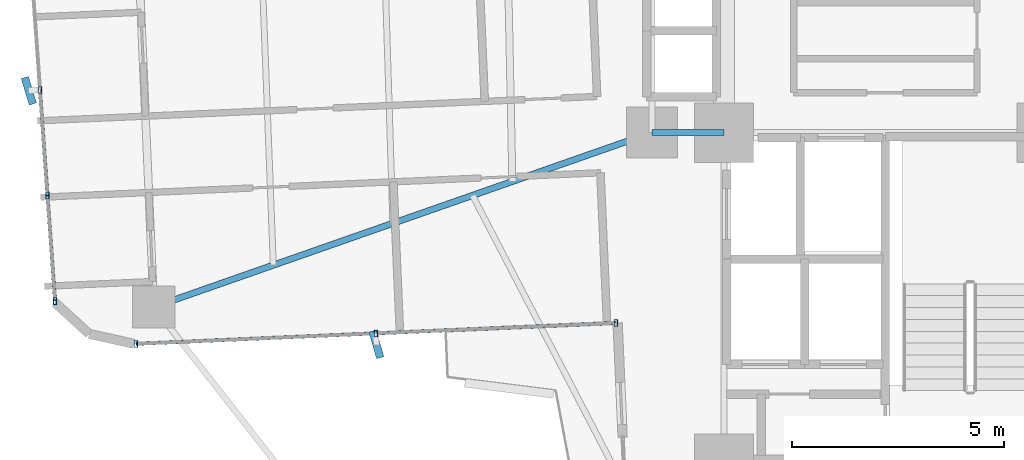
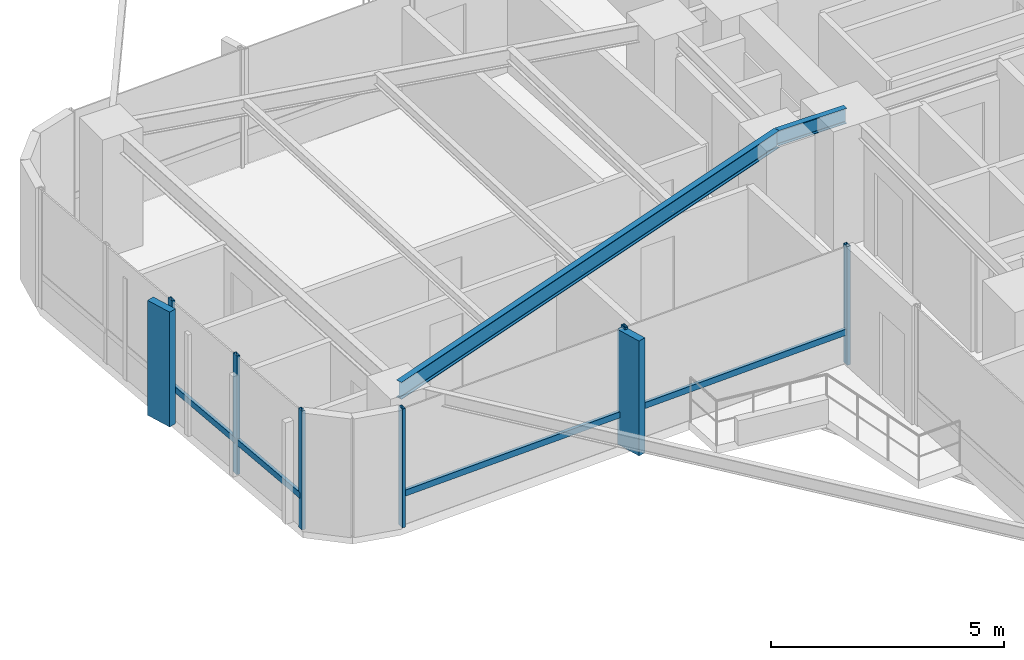
# One storey, part 8 of 26: 12 members, 2 beams, 2 elements without a shape of their own.
"""IFC4 building model written with IfcOpenShell, lengths in metres."""

from ifc_helpers import new_model, si_unit, direction, frame, origin, origin_2d, place, context, subcontext, project, spatial, rectangle, hollow_rectangle, i_section, extrude, source, transform, mapped, material, material_profile, profile_set, type_object, element, aggregate, save


model = new_model("IFC4")

# Units and contexts
model_context = context("Model", 3, precision=1e-05, world=origin(), true_north=direction((0.0, 1.0)))
body_context = subcontext(model_context, "Body", "Model", "MODEL_VIEW")
ifc_project = project(units=[si_unit("LENGTHUNIT", "METRE"), si_unit("AREAUNIT", "SQUARE_METRE"), si_unit("VOLUMEUNIT", "CUBIC_METRE"), si_unit("PLANEANGLEUNIT", "RADIAN"), si_unit("MASSUNIT", "GRAM", prefix="KILO")], contexts=[model_context])

# Site, building, storey
site_placement = place(None, origin())
site = spatial("IfcSite", under=ifc_project, at=site_placement, CompositionType="ELEMENT")
building_placement = place(site_placement, origin())
building = spatial("IfcBuilding", under=site, at=building_placement, Name="Sahyath Konkavel Grand Hotel", CompositionType="ELEMENT")
storey_placement = place(building_placement, frame((0.0, 0.0, 100.25)))
storey = spatial("IfcBuildingStorey", under=building, at=storey_placement, Name="L27", CompositionType="ELEMENT", Elevation=100.25)

# Beams
ifc_material_1 = material(Name="Steel E350", Category="steel")
ifc_material_profile_1 = material_profile(ifc_material_1, i_section(OverallWidth=0.139892578125, OverallDepth=0.39990234375, WebThickness=0.0087890625, FlangeThickness=0.01611328125, FilletRadius=0.013916015625, at=origin_2d()), Name="ISMB 400")
ifc_profile_set_1 = profile_set([ifc_material_profile_1], Name="Steel E350")
beam_type_1 = type_object("IfcBeamType", Name="BM-ISMB400", PredefinedType="BEAM", material=ifc_profile_set_1)
shared_shape_1 = source(origin(), body_context, "Body", "SweptSolid", [
    extrude(i_section(OverallWidth=0.139892578125, OverallDepth=0.39990234375, WebThickness=0.0087890625, FlangeThickness=0.01611328125, FilletRadius=0.013916015625, at=origin_2d()), origin(), (0.0, 0.0, 1.0), 1.699951171875),
])
beam_1_placement = place(storey_placement, frame((-5.5, -2.39990234375, 2.909912109375), z_axis=(1.0, 0.0, 0.0), x_axis=(0.0, 1.0, 0.0)))
element("IfcBeam", 1, at=beam_1_placement, inside=storey, type_object=beam_type_1, Name="str:bm:L27:HB-SW", PredefinedType="BEAM", context=body_context, shape_type="MappedRepresentation", body=[
    mapped(shared_shape_1, transform((0.0, 0.0, 0.0), scale=1.0)),
])
ifc_material_profile_2 = material_profile(ifc_material_1, i_section(OverallWidth=0.14990234375, OverallDepth=0.449951171875, WebThickness=0.009521484375, FlangeThickness=0.017333984375, FilletRadius=0.014892578125, at=origin_2d()), Name="ISMB 450")
ifc_profile_set_2 = profile_set([ifc_material_profile_2], Name="Steel E350")
beam_type_2 = type_object("IfcBeamType", Name="BM-ISMB450", PredefinedType="BEAM", material=ifc_profile_set_2)
shared_shape_2 = source(origin(), body_context, "Body", "SweptSolid", [
    extrude(i_section(OverallWidth=0.14990234375, OverallDepth=0.449951171875, WebThickness=0.009521484375, FlangeThickness=0.017333984375, FilletRadius=0.014892578125, at=origin_2d()), origin(), (0.0, 0.0, 1.0), 12.430908203125),
])
beam_2_placement = place(storey_placement, frame((-5.5, -2.39990234375, 2.885009765625), z_axis=(-0.943819157235, -0.330462400941, 0.0), x_axis=(0.330462400941, -0.943819157235, 0.0)))
element("IfcBeam", 2, at=beam_2_placement, inside=storey, type_object=beam_type_2, Name="L27 Cruciform Radial Girder WB", PredefinedType="BEAM", context=body_context, shape_type="MappedRepresentation", body=[
    mapped(shared_shape_2, transform((0.0, 0.0, 0.0), scale=1.0)),
])

# Curtain wall, member
ifc_material_2 = material(Name="Anodised Bronze Aluminium & Low-E Glazing", Category="aluminium")
curtain_wall_type = type_object("IfcCurtainWallType", Name="CW-ZONE2", PredefinedType="NOTDEFINED", material=ifc_material_2)
curtain_wall_1_placement = place(storey_placement, origin())
curtain_wall_1 = element("IfcCurtainWall", 3, at=curtain_wall_1_placement, inside=storey, type_object=curtain_wall_type, Name="L27 Unitised Curtain Wall F20", PredefinedType="NOTDEFINED")
ifc_material_3 = material(Name="Warm Buff Sandstone Cladding on Concrete C50/60", Category="masonry")
ifc_material_profile_3 = material_profile(ifc_material_3, rectangle(XDim=0.179931640625, YDim=0.64990234375, at=origin_2d()), Name="FIN 180x650")
ifc_profile_set_3 = profile_set([ifc_material_profile_3], Name="Warm Buff Sandstone Cladding on Concrete C50/60")
member_type_1 = type_object("IfcMemberType", Name="FIN-SANDSTONE-650", PredefinedType="MULLION", material=ifc_profile_set_3)
shared_shape_3 = source(origin(), body_context, "Body", "SweptSolid", [
    extrude(rectangle(XDim=0.179931640625, YDim=0.64990234375, at=origin_2d()), origin(), (0.0, 0.0, 1.0), 3.010009765625),
])
member_1_placement = place(storey_placement, frame((-20.1767578125, -1.413818359375, 0.050048828125), z_axis=(0.0, 0.0, 1.0), x_axis=(0.956610402488, 0.291370104596, 0.0)))
member_1 = element("IfcMember", 4, at=member_1_placement, type_object=member_type_1, Name="L27 Sandstone Vertical Solar Fin FIN F20-2", PredefinedType="MULLION", context=body_context, shape_type="MappedRepresentation", body=[
    mapped(shared_shape_3, transform((0.0, 0.0, 0.0), scale=1.0)),
])

curtain_wall_2_placement = place(storey_placement, origin())
curtain_wall_2 = element("IfcCurtainWall", 5, at=curtain_wall_2_placement, inside=storey, type_object=curtain_wall_type, Name="L27 Unitised Curtain Wall F23", PredefinedType="NOTDEFINED")
member_2_placement = place(storey_placement, frame((-11.989013671875, -7.39013671875, 0.050048828125), z_axis=(0.0, 0.0, 1.0), x_axis=(0.959854262938, 0.280499187022, 0.0)))
member_2 = element("IfcMember", 6, at=member_2_placement, type_object=member_type_1, Name="L27 Sandstone Vertical Solar Fin FIN F23-1", PredefinedType="MULLION", context=body_context, shape_type="MappedRepresentation", body=[
    mapped(shared_shape_3, transform((0.0, 0.0, 0.0), scale=1.0)),
])

# Member
ifc_material_4 = material(Name="Anodised Bronze Aluminium", Category="aluminium")
ifc_material_profile_4 = material_profile(ifc_material_4, hollow_rectangle(XDim=0.080078125, YDim=0.159912109375, WallThickness=0.006103515625, at=origin_2d()), Name="RHS 160x80x6")
ifc_profile_set_4 = profile_set([ifc_material_profile_4], Name="Anodised Bronze Aluminium")
member_type_2 = type_object("IfcMemberType", Name="CW-MUL-160", PredefinedType="MULLION", material=ifc_profile_set_4)
shared_shape_4 = source(origin(), body_context, "Body", "SweptSolid", [
    extrude(hollow_rectangle(XDim=0.080078125, YDim=0.159912109375, WallThickness=0.006103515625, at=origin_2d()), origin(), (0.0, 0.0, 1.0), 3.110107421875),
])
member_3_placement = place(storey_placement, frame((-19.91748046875, -1.39501953125, 0.0), z_axis=(0.0, 0.0, 1.0), x_axis=(1.0, 0.0, 0.0)))
member_3 = element("IfcMember", 7, at=member_3_placement, type_object=member_type_2, Name="L27 Curtain Wall Mullion F20-2", PredefinedType="MULLION", context=body_context, shape_type="MappedRepresentation", body=[
    mapped(shared_shape_4, transform((0.0, 0.0, 0.0), scale=1.0)),
])

member_4_placement = place(storey_placement, frame((-19.739013671875, -3.882080078125, 0.0), z_axis=(0.0, 0.0, 1.0), x_axis=(1.0, 0.0, 0.0)))
member_4 = element("IfcMember", 8, at=member_4_placement, type_object=member_type_2, Name="L27 Curtain Wall Mullion F20-3", PredefinedType="MULLION", context=body_context, shape_type="MappedRepresentation", body=[
    mapped(shared_shape_4, transform((0.0, 0.0, 0.0), scale=1.0)),
])

member_5_placement = place(storey_placement, frame((-19.560546875, -6.369384765625, 0.0), z_axis=(0.0, 0.0, 1.0), x_axis=(1.0, 0.0, 0.0)))
member_5 = element("IfcMember", 9, at=member_5_placement, type_object=member_type_2, Name="L27 Curtain Wall Mullion F20-4", PredefinedType="MULLION", context=body_context, shape_type="MappedRepresentation", body=[
    mapped(shared_shape_4, transform((0.0, 0.0, 0.0), scale=1.0)),
])

member_6_placement = place(storey_placement, frame((-17.655029296875, -7.377197265625, 0.0), z_axis=(0.0, 0.0, 1.0), x_axis=(1.0, 0.0, 0.0)))
member_6 = element("IfcMember", 10, at=member_6_placement, type_object=member_type_2, Name="L27 Curtain Wall Mullion F23-0", PredefinedType="MULLION", context=body_context, shape_type="MappedRepresentation", body=[
    mapped(shared_shape_4, transform((0.0, 0.0, 0.0), scale=1.0)),
])

member_7_placement = place(storey_placement, frame((-12.00048828125, -7.13037109375, 0.0), z_axis=(0.0, 0.0, 1.0), x_axis=(1.0, 0.0, 0.0)))
member_7 = element("IfcMember", 11, at=member_7_placement, type_object=member_type_2, Name="L27 Curtain Wall Mullion F23-1", PredefinedType="MULLION", context=body_context, shape_type="MappedRepresentation", body=[
    mapped(shared_shape_4, transform((0.0, 0.0, 0.0), scale=1.0)),
])

member_8_placement = place(storey_placement, frame((-6.345703125, -6.88330078125, 0.0), z_axis=(0.0, 0.0, 1.0), x_axis=(1.0, 0.0, 0.0)))
member_8 = element("IfcMember", 12, at=member_8_placement, type_object=member_type_2, Name="L27 Curtain Wall Mullion F23-2", PredefinedType="MULLION", context=body_context, shape_type="MappedRepresentation", body=[
    mapped(shared_shape_4, transform((0.0, 0.0, 0.0), scale=1.0)),
])

ifc_material_profile_5 = material_profile(ifc_material_4, hollow_rectangle(XDim=0.080078125, YDim=0.159912109375, WallThickness=0.006103515625, at=origin_2d()), Name="RHS 160x80x6")
ifc_profile_set_5 = profile_set([ifc_material_profile_5], Name="Anodised Bronze Aluminium")
member_type_3 = type_object("IfcMemberType", Name="CW-TRN-160", PredefinedType="USERDEFINED", material=ifc_profile_set_5)
shared_shape_5 = source(origin(), body_context, "Body", "SweptSolid", [
    extrude(hollow_rectangle(XDim=0.080078125, YDim=0.159912109375, WallThickness=0.006103515625, at=origin_2d()), origin(), (0.0, 0.0, 1.0), 2.493408203125),
])
member_9_placement = place(storey_placement, frame((-19.91748046875, -1.39501953125, 0.85009765625), z_axis=(0.071574084062, -0.997435286367, 0.0), x_axis=(0.997435286367, 0.071574084062, 0.0)))
member_9 = element("IfcMember", 13, at=member_9_placement, type_object=member_type_3, Name="L27 Curtain Wall Transom F20-2-spandrel", ObjectType="TRANSOM", PredefinedType="USERDEFINED", context=body_context, shape_type="MappedRepresentation", body=[
    mapped(shared_shape_5, transform((0.0, 0.0, 0.0), scale=1.0)),
])

shared_shape_6 = source(origin(), body_context, "Body", "SweptSolid", [
    extrude(hollow_rectangle(XDim=0.080078125, YDim=0.159912109375, WallThickness=0.006103515625, at=origin_2d()), origin(), (0.0, 0.0, 1.0), 2.49365234375),
])
member_10_placement = place(storey_placement, frame((-19.739013671875, -3.882080078125, 0.85009765625), z_axis=(0.071567094714, -0.997435787885, 0.0), x_axis=(0.997435787885, 0.071567094714, 0.0)))
member_10 = element("IfcMember", 14, at=member_10_placement, type_object=member_type_3, Name="L27 Curtain Wall Transom F20-3-spandrel", ObjectType="TRANSOM", PredefinedType="USERDEFINED", context=body_context, shape_type="MappedRepresentation", body=[
    mapped(shared_shape_6, transform((0.0, 0.0, 0.0), scale=1.0)),
])

aggregate(curtain_wall_1, [member_3, member_1, member_4, member_5, member_9, member_10])

shared_shape_7 = source(origin(), body_context, "Body", "SweptSolid", [
    extrude(hollow_rectangle(XDim=0.080078125, YDim=0.159912109375, WallThickness=0.006103515625, at=origin_2d()), origin(), (0.0, 0.0, 1.0), 5.659912109375),
])
member_11_placement = place(storey_placement, frame((-17.655029296875, -7.377197265625, 0.85009765625), z_axis=(0.999048655935, 0.043609437898, 0.0), x_axis=(-0.043609437898, 0.999048655935, 0.0)))
member_11 = element("IfcMember", 15, at=member_11_placement, type_object=member_type_3, Name="L27 Curtain Wall Transom F23-0-spandrel", ObjectType="TRANSOM", PredefinedType="USERDEFINED", context=body_context, shape_type="MappedRepresentation", body=[
    mapped(shared_shape_7, transform((0.0, 0.0, 0.0), scale=1.0)),
])

shared_shape_8 = source(origin(), body_context, "Body", "SweptSolid", [
    extrude(hollow_rectangle(XDim=0.080078125, YDim=0.159912109375, WallThickness=0.006103515625, at=origin_2d()), origin(), (0.0, 0.0, 1.0), 5.66015625),
])
member_12_placement = place(storey_placement, frame((-12.00048828125, -7.13037109375, 0.85009765625), z_axis=(0.9990468579, 0.043650609628, 0.0), x_axis=(-0.043650609628, 0.9990468579, 0.0)))
member_12 = element("IfcMember", 16, at=member_12_placement, type_object=member_type_3, Name="L27 Curtain Wall Transom F23-1-spandrel", ObjectType="TRANSOM", PredefinedType="USERDEFINED", context=body_context, shape_type="MappedRepresentation", body=[
    mapped(shared_shape_8, transform((0.0, 0.0, 0.0), scale=1.0)),
])

aggregate(curtain_wall_2, [member_6, member_7, member_2, member_8, member_11, member_12])

save(model, "model.ifc")
